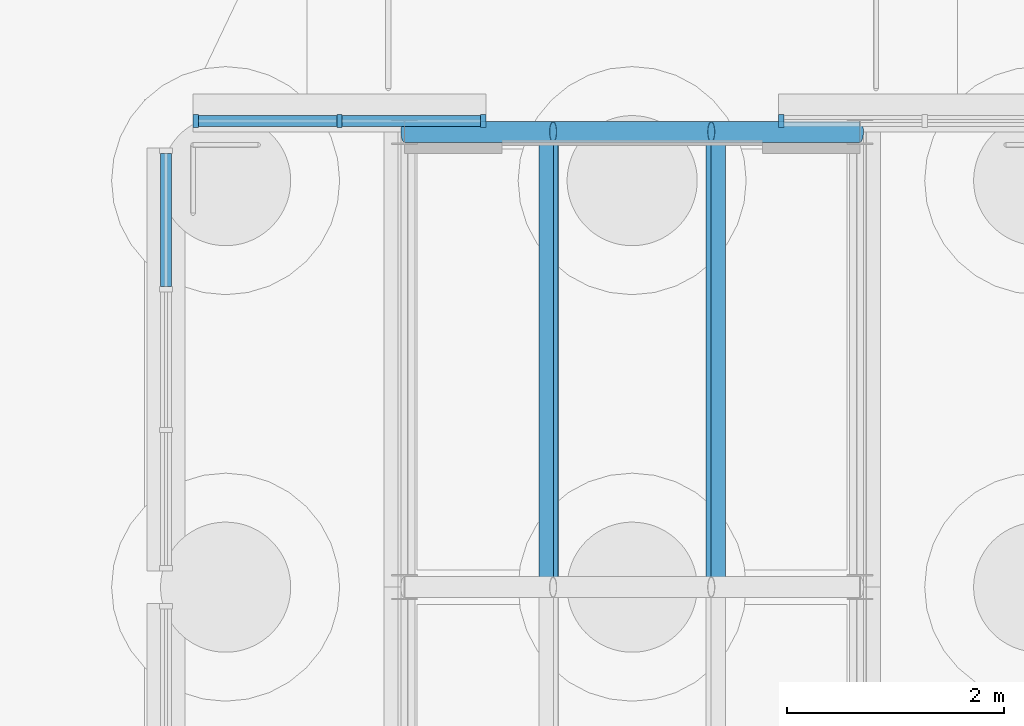
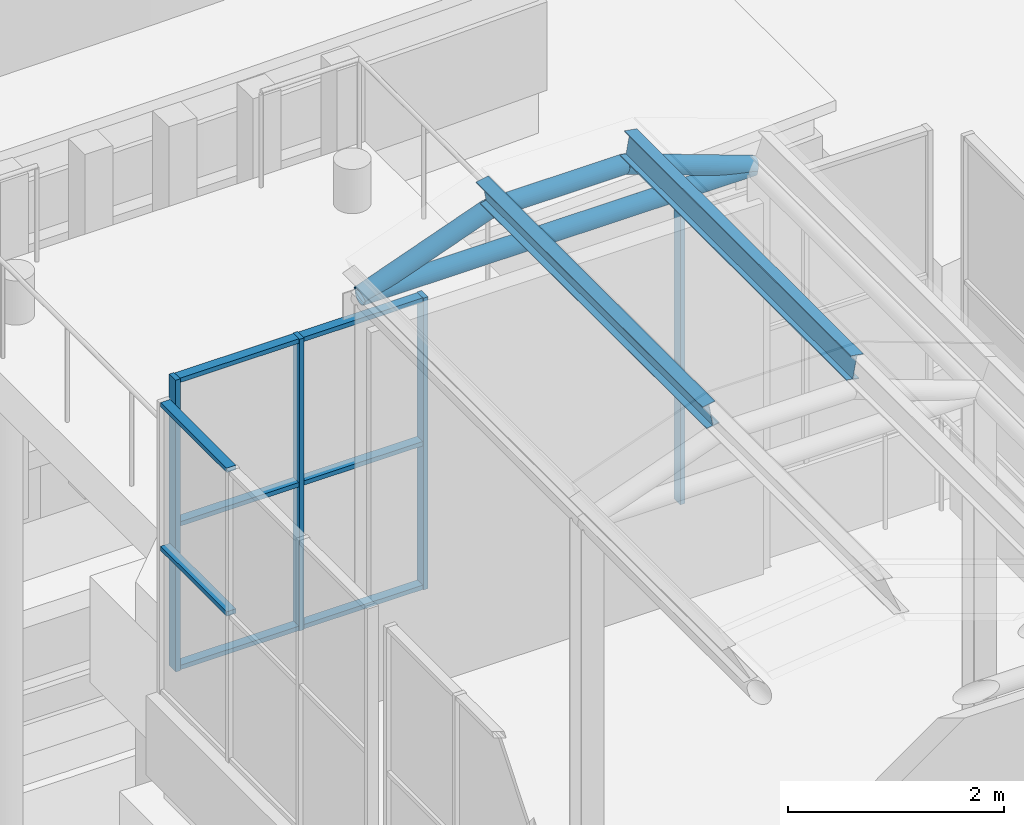
# One storey, part 71 of 222: 15 members, 3 beams, 3 elements without a shape of their own.
"""IFC4 building model written with IfcOpenShell, lengths in metres."""

from ifc_helpers import new_model, si_unit, direction, frame, origin, origin_2d, place, context, subcontext, project, spatial, rectangle, hollow_circle, i_section, extrude, material, material_profile, profile_set, type_object, element, aggregate, save


model = new_model("IFC4")

# Units and contexts
model_context = context("Model", 3, precision=1e-05, world=origin(), true_north=direction((0.0, 1.0)))
body_context = subcontext(model_context, "Body", "Model", "MODEL_VIEW")
ifc_project = project(units=[si_unit("LENGTHUNIT", "METRE"), si_unit("AREAUNIT", "SQUARE_METRE"), si_unit("VOLUMEUNIT", "CUBIC_METRE"), si_unit("PLANEANGLEUNIT", "RADIAN"), si_unit("MASSUNIT", "GRAM", prefix="KILO")], contexts=[model_context])

# Site, building, storey
site_placement = place(None, origin())
site = spatial("IfcSite", under=ifc_project, at=site_placement, CompositionType="ELEMENT")
building_placement = place(site_placement, origin())
building = spatial("IfcBuilding", under=site, at=building_placement, Name="Sava Quay Ferry Terminal", CompositionType="ELEMENT")
storey_placement = place(building_placement, origin())
storey = spatial("IfcBuildingStorey", under=building, at=storey_placement, Name="L00", CompositionType="ELEMENT", Elevation=0.0)

# Members
ifc_material_1 = material(Name="Steel S355", Category="steel")
ifc_material_profile_1 = material_profile(ifc_material_1, i_section(OverallWidth=0.135009765625, OverallDepth=0.27001953125, WebThickness=0.006591796875, FlangeThickness=0.01025390625, at=origin_2d()), Name="IPE 270")
ifc_profile_set_1 = profile_set([ifc_material_profile_1], Name="Steel S355")
member_type_1 = type_object("IfcMemberType", Name="Gallery purlin IPE 270", PredefinedType="PURLIN", material=ifc_profile_set_1)
for number, where, z_axis, x_axis, name in (
    (1, (76.9296875, 138.60009765625, 5.230712890625), (0.0, 1.0, 0.0), (-0.984807753012, 0.0, -0.173648177667), "Boarding gallery B2 purlin bay 8 V1"),
    (2, (78.47021484375, 138.60009765625, 5.230712890625), (0.0, 1.0, 0.0), (-0.984807753012, 0.0, 0.173648177667), "Boarding gallery B2 purlin bay 8 V2"),
):
    element("IfcMember", number, at=place(storey_placement, frame(where, z_axis=z_axis, x_axis=x_axis)), inside=storey, type_object=member_type_1, Name=name, PredefinedType="PURLIN", context=body_context, shape_type="SweptSolid", body=[
        extrude(i_section(OverallWidth=0.135009765625, OverallDepth=0.27001953125, WebThickness=0.006591796875, FlangeThickness=0.01025390625, at=origin_2d()), origin(), (0.0, 0.0, 1.0), 4.199951171875),
    ])

# Beams
ifc_material_2 = material(Name="Steel S355", Category="steel")
ifc_material_profile_2 = material_profile(ifc_material_2, hollow_circle(Radius=0.096923828125, WallThickness=0.008056640625, at=origin_2d()), Name="CHS 193.7 x 8.0")
ifc_profile_set_2 = profile_set([ifc_material_profile_2], Name="Steel S355")
beam_type = type_object("IfcBeamType", Name="Gallery rib CHS 193.7x8", PredefinedType="BEAM", material=ifc_profile_set_2)
beam_1_placement = place(storey_placement, frame((75.60009765625, 142.800048828125, 4.5), z_axis=(0.939710313144, 0.0, 0.341971530059), x_axis=(0.0, 1.0, 0.0)))
element("IfcBeam", 3, at=beam_1_placement, inside=storey, type_object=beam_type, Name="Boarding gallery B2 arch rib R8 seg 1", PredefinedType="BEAM", context=body_context, shape_type="SweptSolid", body=[
    extrude(hollow_circle(Radius=0.096923828125, WallThickness=0.008056640625, at=origin_2d()), origin(), (0.0, 0.0, 1.0), 1.45849609375),
])
beam_2_placement = place(storey_placement, frame((76.970703125, 142.800048828125, 4.998779296875), z_axis=(1.0, 0.0, 0.0), x_axis=(0.0, 1.0, 0.0)))
element("IfcBeam", 4, at=beam_2_placement, inside=storey, type_object=beam_type, Name="Boarding gallery B2 arch rib R8 seg 2", PredefinedType="BEAM", context=body_context, shape_type="SweptSolid", body=[
    extrude(hollow_circle(Radius=0.096923828125, WallThickness=0.008056640625, at=origin_2d()), origin(), (0.0, 0.0, 1.0), 1.458740234375),
])
beam_3_placement = place(storey_placement, frame((78.429443359375, 142.800048828125, 4.998779296875), z_axis=(0.939710313144, 0.0, -0.341971530059), x_axis=(0.0, 1.0, 0.0)))
element("IfcBeam", 5, at=beam_3_placement, inside=storey, type_object=beam_type, Name="Boarding gallery B2 arch rib R8 seg 3", PredefinedType="BEAM", context=body_context, shape_type="SweptSolid", body=[
    extrude(hollow_circle(Radius=0.096923828125, WallThickness=0.008056640625, at=origin_2d()), origin(), (0.0, 0.0, 1.0), 1.45849609375),
])

# Member
ifc_material_3 = material(Name="Steel S355", Category="steel")
ifc_material_profile_3 = material_profile(ifc_material_3, hollow_circle(Radius=0.096923828125, WallThickness=0.008056640625, at=origin_2d()), Name="CHS 193.7 x 8.0")
ifc_profile_set_3 = profile_set([ifc_material_profile_3], Name="Steel S355")
member_type_2 = type_object("IfcMemberType", Name="Gallery tie CHS 193.7x8", PredefinedType="USERDEFINED", material=ifc_profile_set_3)
member_1_placement = place(storey_placement, frame((75.60009765625, 142.800048828125, 4.5), z_axis=(1.0, 0.0, 0.0), x_axis=(0.0, 1.0, 0.0)))
element("IfcMember", 6, at=member_1_placement, inside=storey, type_object=member_type_2, Name="Boarding gallery B2 arch tie R8", ObjectType="ARCH TIE", PredefinedType="USERDEFINED", context=body_context, shape_type="SweptSolid", body=[
    extrude(hollow_circle(Radius=0.096923828125, WallThickness=0.008056640625, at=origin_2d()), origin(), (0.0, 0.0, 1.0), 4.199951171875),
])

# Curtain wall, members
ifc_material_4 = material(Name="Aluminium and glass curtain wall, double glazed", Category="aluminium")
curtain_wall_type = type_object("IfcCurtainWallType", Name="Curtain wall CW-B gallery", PredefinedType="NOTDEFINED", material=ifc_material_4)
curtain_wall_1_placement = place(storey_placement, origin())
curtain_wall_1 = element("IfcCurtainWall", 7, at=curtain_wall_1_placement, inside=storey, type_object=curtain_wall_type, Name="Curtain wall B2-HN L00 bay 1", PredefinedType="NOTDEFINED")
ifc_material_5 = material(Name="Aluminium EN AW-6063 T6", Category="aluminium")
ifc_material_profile_4 = material_profile(ifc_material_5, rectangle(XDim=0.1201171875, YDim=0.050048828125, at=origin_2d()), Name="Mullion 50x120 aluminium")
ifc_profile_set_4 = profile_set([ifc_material_profile_4], Name="Aluminium EN AW-6063 T6")
member_type_3 = type_object("IfcMemberType", Name="Mullion 50x120 aluminium", PredefinedType="MULLION", material=ifc_profile_set_4)
member_2_placement = place(storey_placement, frame((73.675048828125, 142.89990234375, 0.89990234375), z_axis=(0.0, 0.0, 1.0), x_axis=(0.0, 1.0, 0.0)))
member_2 = element("IfcMember", 8, at=member_2_placement, type_object=member_type_3, Name="CW27 mullion 1", PredefinedType="MULLION", context=body_context, shape_type="SweptSolid", body=[
    extrude(rectangle(XDim=0.1201171875, YDim=0.050048828125, at=origin_2d()), origin(), (0.0, 0.0, 1.0), 3.300048828125),
])
member_3_placement = place(storey_placement, frame((75.0, 142.89990234375, 0.89990234375), z_axis=(0.0, 0.0, 1.0), x_axis=(0.0, 1.0, 0.0)))
member_3 = element("IfcMember", 9, at=member_3_placement, type_object=member_type_3, Name="CW27 mullion 2", PredefinedType="MULLION", context=body_context, shape_type="SweptSolid", body=[
    extrude(rectangle(XDim=0.1201171875, YDim=0.050048828125, at=origin_2d()), origin(), (0.0, 0.0, 1.0), 3.300048828125),
])
member_4_placement = place(storey_placement, frame((76.324951171875, 142.89990234375, 0.89990234375), z_axis=(0.0, 0.0, 1.0), x_axis=(0.0, 1.0, 0.0)))
member_4 = element("IfcMember", 10, at=member_4_placement, type_object=member_type_3, Name="CW27 mullion 3", PredefinedType="MULLION", context=body_context, shape_type="SweptSolid", body=[
    extrude(rectangle(XDim=0.1201171875, YDim=0.050048828125, at=origin_2d()), origin(), (0.0, 0.0, 1.0), 3.300048828125),
])

# Curtain wall, member
curtain_wall_2_placement = place(storey_placement, origin())
curtain_wall_2 = element("IfcCurtainWall", 11, at=curtain_wall_2_placement, inside=storey, type_object=curtain_wall_type, Name="Curtain wall B2-HN L00 bay 2", PredefinedType="NOTDEFINED")
member_5_placement = place(storey_placement, frame((79.074951171875, 142.89990234375, 0.89990234375), z_axis=(0.0, 0.0, 1.0), x_axis=(0.0, 1.0, 0.0)))
member_5 = element("IfcMember", 12, at=member_5_placement, type_object=member_type_3, Name="CW28 mullion 1", PredefinedType="MULLION", context=body_context, shape_type="SweptSolid", body=[
    extrude(rectangle(XDim=0.1201171875, YDim=0.050048828125, at=origin_2d()), origin(), (0.0, 0.0, 1.0), 3.300048828125),
])
aggregate(curtain_wall_2, [member_5])

# Member
ifc_material_6 = material(Name="Aluminium EN AW-6063 T6", Category="aluminium")
ifc_material_profile_5 = material_profile(ifc_material_6, rectangle(XDim=0.10009765625, YDim=0.050048828125, at=origin_2d()), Name="Transom 50x100 aluminium")
ifc_profile_set_5 = profile_set([ifc_material_profile_5], Name="Aluminium EN AW-6063 T6")
member_type_4 = type_object("IfcMemberType", Name="Transom 50x100 aluminium", PredefinedType="USERDEFINED", material=ifc_profile_set_5)
member_6_placement = place(storey_placement, frame((73.699951171875, 142.89990234375, 0.925048828125), z_axis=(1.0, 0.0, 0.0), x_axis=(0.0, 1.0, 0.0)))
member_6 = element("IfcMember", 13, at=member_6_placement, type_object=member_type_4, Name="CW27 transom 1.1", ObjectType="TRANSOM", PredefinedType="USERDEFINED", context=body_context, shape_type="SweptSolid", body=[
    extrude(rectangle(XDim=0.10009765625, YDim=0.050048828125, at=origin_2d()), origin(), (0.0, 0.0, 1.0), 1.275146484375),
])

member_7_placement = place(storey_placement, frame((73.699951171875, 142.89990234375, 2.550048828125), z_axis=(1.0, 0.0, 0.0), x_axis=(0.0, 1.0, 0.0)))
member_7 = element("IfcMember", 14, at=member_7_placement, type_object=member_type_4, Name="CW27 transom 1.2", ObjectType="TRANSOM", PredefinedType="USERDEFINED", context=body_context, shape_type="SweptSolid", body=[
    extrude(rectangle(XDim=0.10009765625, YDim=0.050048828125, at=origin_2d()), origin(), (0.0, 0.0, 1.0), 1.275146484375),
])

member_8_placement = place(storey_placement, frame((73.699951171875, 142.89990234375, 4.175048828125), z_axis=(1.0, 0.0, 0.0), x_axis=(0.0, 1.0, 0.0)))
member_8 = element("IfcMember", 15, at=member_8_placement, type_object=member_type_4, Name="CW27 transom 1.3", ObjectType="TRANSOM", PredefinedType="USERDEFINED", context=body_context, shape_type="SweptSolid", body=[
    extrude(rectangle(XDim=0.10009765625, YDim=0.050048828125, at=origin_2d()), origin(), (0.0, 0.0, 1.0), 1.275146484375),
])

member_9_placement = place(storey_placement, frame((75.02490234375, 142.89990234375, 0.925048828125), z_axis=(1.0, 0.0, 0.0), x_axis=(0.0, 1.0, 0.0)))
member_9 = element("IfcMember", 16, at=member_9_placement, type_object=member_type_4, Name="CW27 transom 2.1", ObjectType="TRANSOM", PredefinedType="USERDEFINED", context=body_context, shape_type="SweptSolid", body=[
    extrude(rectangle(XDim=0.10009765625, YDim=0.050048828125, at=origin_2d()), origin(), (0.0, 0.0, 1.0), 1.275146484375),
])

member_10_placement = place(storey_placement, frame((75.02490234375, 142.89990234375, 2.550048828125), z_axis=(1.0, 0.0, 0.0), x_axis=(0.0, 1.0, 0.0)))
member_10 = element("IfcMember", 17, at=member_10_placement, type_object=member_type_4, Name="CW27 transom 2.2", ObjectType="TRANSOM", PredefinedType="USERDEFINED", context=body_context, shape_type="SweptSolid", body=[
    extrude(rectangle(XDim=0.10009765625, YDim=0.050048828125, at=origin_2d()), origin(), (0.0, 0.0, 1.0), 1.275146484375),
])

member_11_placement = place(storey_placement, frame((75.02490234375, 142.89990234375, 4.175048828125), z_axis=(1.0, 0.0, 0.0), x_axis=(0.0, 1.0, 0.0)))
member_11 = element("IfcMember", 18, at=member_11_placement, type_object=member_type_4, Name="CW27 transom 2.3", ObjectType="TRANSOM", PredefinedType="USERDEFINED", context=body_context, shape_type="SweptSolid", body=[
    extrude(rectangle(XDim=0.10009765625, YDim=0.050048828125, at=origin_2d()), origin(), (0.0, 0.0, 1.0), 1.275146484375),
])

aggregate(curtain_wall_1, [member_2, member_3, member_4, member_6, member_7, member_8, member_9, member_10, member_11])

# Curtain wall, members
curtain_wall_3_placement = place(storey_placement, origin())
curtain_wall_3 = element("IfcCurtainWall", 19, at=curtain_wall_3_placement, inside=storey, type_object=curtain_wall_type, Name="Curtain wall B2-HW L00 bay 2", PredefinedType="NOTDEFINED")
member_12_placement = place(storey_placement, frame((73.39990234375, 141.375, 2.550048828125), z_axis=(0.0, 1.0, 0.0), x_axis=(-1.0, 0.0, 0.0)))
member_12 = element("IfcMember", 20, at=member_12_placement, type_object=member_type_4, Name="CW30 transom 3.2", ObjectType="TRANSOM", PredefinedType="USERDEFINED", context=body_context, shape_type="SweptSolid", body=[
    extrude(rectangle(XDim=0.10009765625, YDim=0.050048828125, at=origin_2d()), origin(), (0.0, 0.0, 1.0), 1.22509765625),
])
member_13_placement = place(storey_placement, frame((73.39990234375, 141.375, 4.175048828125), z_axis=(0.0, 1.0, 0.0), x_axis=(-1.0, 0.0, 0.0)))
member_13 = element("IfcMember", 21, at=member_13_placement, type_object=member_type_4, Name="CW30 transom 3.3", ObjectType="TRANSOM", PredefinedType="USERDEFINED", context=body_context, shape_type="SweptSolid", body=[
    extrude(rectangle(XDim=0.10009765625, YDim=0.050048828125, at=origin_2d()), origin(), (0.0, 0.0, 1.0), 1.22509765625),
])
aggregate(curtain_wall_3, [member_12, member_13])

save(model, "model.ifc")
